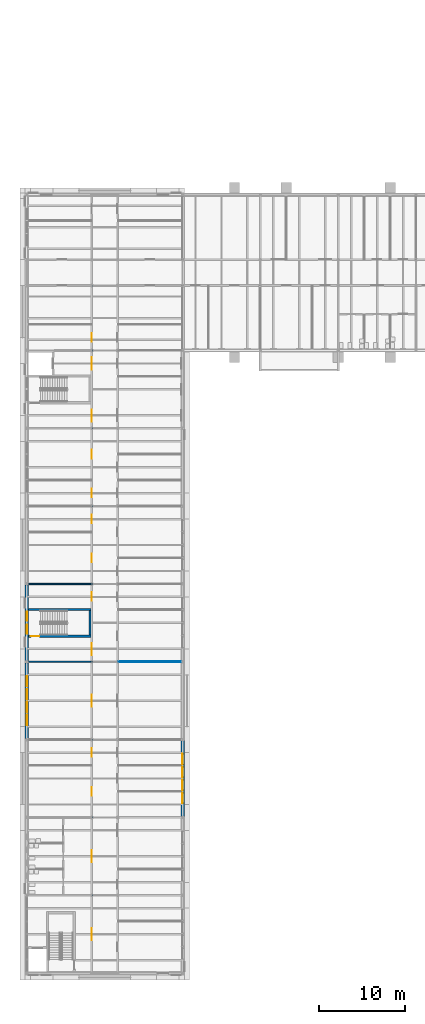
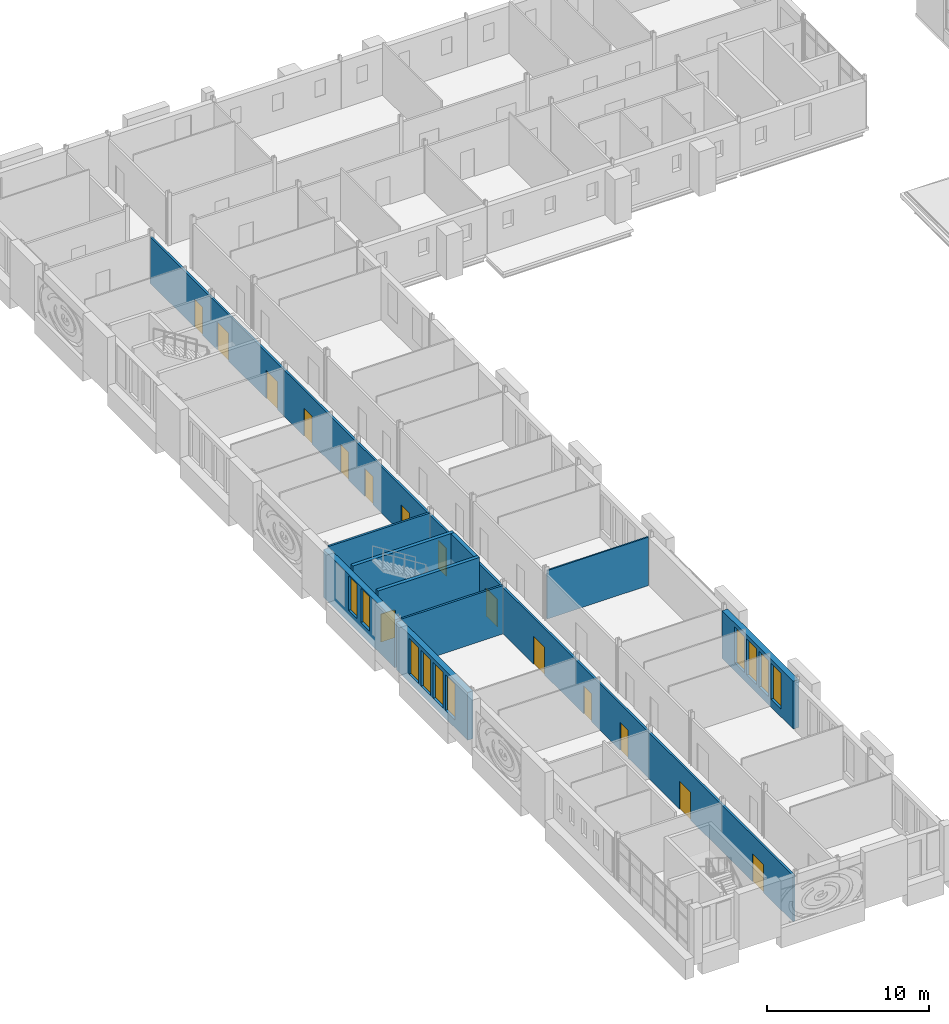
# One storey, part 88 of 121: 15 doors, 10 walls, 10 windows, 25 openings.
"""IFC4 building model written with IfcOpenShell, lengths in metres."""

from ifc_helpers import new_model, si_unit, direction, frame, frame_2d, origin, place, context, subcontext, project, spatial, rectangle, extrude, material, layer, layer_set, type_object, element, fill, save


model = new_model("IFC4")

# Units and contexts
model_context = context("Model", 3, precision=1e-05, world=origin(), true_north=direction((0.0, 1.0)))
body_context = subcontext(model_context, "Body", "Model", "MODEL_VIEW")
ifc_project = project(units=[si_unit("LENGTHUNIT", "METRE"), si_unit("AREAUNIT", "SQUARE_METRE"), si_unit("VOLUMEUNIT", "CUBIC_METRE"), si_unit("PLANEANGLEUNIT", "RADIAN"), si_unit("MASSUNIT", "GRAM", prefix="KILO")], contexts=[model_context])

# Site, building, storey
site_placement = place(None, origin())
site = spatial("IfcSite", under=ifc_project, at=site_placement, CompositionType="ELEMENT")
building_placement = place(site_placement, origin())
building = spatial("IfcBuilding", under=site, at=building_placement, Name="Golden Quay Civic Hall", CompositionType="ELEMENT")
storey_placement = place(building_placement, frame((0.0, 0.0, 18.60009765625)))
storey = spatial("IfcBuildingStorey", under=building, at=storey_placement, Name="L04", CompositionType="ELEMENT", Elevation=18.60009765625)

# Wall, opening, door
ifc_material_1 = material(Name="Concrete C40/50", Category="concrete")
ifc_layer_1 = layer(ifc_material_1, 0.25)
ifc_layer_set_1 = layer_set([ifc_layer_1], Name="Concrete core wall 250, Concrete C40/50")
wall_type_1 = type_object("IfcWallType", Name="Concrete core wall 250", PredefinedType="SHEAR", material=ifc_layer_set_1)
wall_1_placement = place(storey_placement, frame((0.199951171875, 29.949951171875, 0.0), z_axis=(0.0, 0.0, 1.0), x_axis=(1.0, 0.0, 0.0)))
wall_1 = element("IfcWall", 1, at=wall_1_placement, inside=storey, type_object=wall_type_1, Name="Core wall WO-M-W1", PredefinedType="SHEAR", context=body_context, shape_type="SweptSolid", body=[
    extrude(rectangle(XDim=7.22509765625, YDim=0.25, at=frame_2d((3.612548828125, 0.0))), origin(), (0.0, 0.0, 1.0), 4.0),
])
opening_1_placement = place(wall_1_placement, frame((0.25, 0.0, 0.0)))
opening_1 = element("IfcOpeningElement", 2, at=opening_1_placement, cuts=wall_1, Name="Opening L04-D032", PredefinedType="OPENING", context=body_context, shape_type="SweptSolid", body=[
    extrude(rectangle(XDim=1.0, YDim=2.10009765625, at=frame_2d((0.5, 1.050048828125))), frame((0.0, 0.135009765625, 0.0), z_axis=(0.0, -1.0, 0.0), x_axis=(1.0, 0.0, 0.0)), (0.0, 0.0, 1.0), 0.27001953125),
])
ifc_material_2 = material(Name="Steel", Category="steel")
door_type_1 = type_object("IfcDoorType", Name="Steel fire door FD60 1000 x 2100", OperationType="SINGLE_SWING_LEFT", PredefinedType="DOOR", material=ifc_material_2)
door_1_placement = place(opening_1_placement, origin())
door_1 = element("IfcDoor", 3, at=door_1_placement, inside=storey, type_object=door_type_1, Name="Door L04-D032", OperationType="SINGLE_SWING_LEFT", OverallHeight=2.10009765625, OverallWidth=1.0, PredefinedType="DOOR", context=body_context, shape_type="SweptSolid", body=[
    extrude(rectangle(XDim=1.0, YDim=2.10009765625, at=frame_2d((0.5, 1.050048828125))), frame((0.0, 0.02490234375, 0.0), z_axis=(0.0, -1.0, 0.0), x_axis=(1.0, 0.0, 0.0)), (0.0, 0.0, 1.0), 0.050048828125),
])
fill(opening_1, door_1)

# Walls
wall_2_placement = place(storey_placement, frame((0.199951171875, 33.050048828125, 0.0), z_axis=(0.0, 0.0, 1.0), x_axis=(1.0, 0.0, 0.0)))
element("IfcWall", 4, at=wall_2_placement, inside=storey, type_object=wall_type_1, Name="Core wall WO-M-W2", PredefinedType="SHEAR", context=body_context, shape_type="SweptSolid", body=[
    extrude(rectangle(XDim=7.22509765625, YDim=0.25, at=frame_2d((3.612548828125, 0.0))), origin(), (0.0, 0.0, 1.0), 4.0),
])
wall_3_placement = place(storey_placement, frame((7.300048828125, 30.074951171875, 0.0), z_axis=(0.0, 0.0, 1.0), x_axis=(0.0, 1.0, 0.0)))
element("IfcWall", 5, at=wall_3_placement, inside=storey, type_object=wall_type_1, Name="Core wall WO-M-W3", PredefinedType="SHEAR", context=body_context, shape_type="SweptSolid", body=[
    extrude(rectangle(XDim=2.85009765625, YDim=0.25, at=frame_2d((1.425048828125, 0.0))), origin(), (0.0, 0.0, 1.0), 4.0),
])
ifc_material_3 = material(Name="Plasterboard on steel studs", Category="steel")
ifc_layer_2 = layer(ifc_material_3, 0.10009765625)
ifc_layer_set_2 = layer_set([ifc_layer_2], Name="Partition 100 stud")
wall_type_2 = type_object("IfcWallType", Name="Partition 100 stud", PredefinedType="PARTITIONING", material=ifc_layer_set_2)
wall_4_placement = place(storey_placement, frame((10.574951171875, 27.0, 0.0), z_axis=(0.0, 0.0, 1.0), x_axis=(1.0, 0.0, 0.0)))
element("IfcWall", 6, at=wall_4_placement, inside=storey, type_object=wall_type_2, Name="Partition L04-014", PredefinedType="PARTITIONING", context=body_context, shape_type="SweptSolid", body=[
    extrude(rectangle(XDim=7.22509765625, YDim=0.10009765625, at=frame_2d((3.612548828125, 0.0))), origin(), (0.0, 0.0, 1.0), 3.64990234375),
])
ifc_material_4 = material(Name="Plasterboard on steel studs", Category="steel")
ifc_layer_3 = layer(ifc_material_4, 0.14990234375)
ifc_layer_set_3 = layer_set([ifc_layer_3], Name="Partition 150 stud fire EI 60")
wall_type_3 = type_object("IfcWallType", Name="Partition 150 stud fire EI 60", PredefinedType="PARTITIONING", material=ifc_layer_set_3)
for number, where, z_axis, x_axis, name in (
    (7, (0.199951171875, 27.0, 0.0), (0.0, 0.0, 1.0), (1.0, 0.0, 0.0), "Partition L04-003"),
    (8, (0.199951171875, 36.0, 0.0), (0.0, 0.0, 1.0), (1.0, 0.0, 0.0), "Partition L04-004"),
):
    element("IfcWall", number, at=place(storey_placement, frame(where, z_axis=z_axis, x_axis=x_axis)), inside=storey, type_object=wall_type_3, Name=name, PredefinedType="PARTITIONING", context=body_context, shape_type="SweptSolid", body=[
        extrude(rectangle(XDim=7.22509765625, YDim=0.14990234375, at=frame_2d((3.612548828125, 0.0))), origin(), (0.0, 0.0, 1.0), 3.64990234375),
    ])

# Wall, openings, doors
wall_5_placement = place(storey_placement, frame((7.5, -8.800048828125, 0.0), z_axis=(0.0, 0.0, 1.0), x_axis=(0.0, 1.0, 0.0)))
wall_5 = element("IfcWall", 9, at=wall_5_placement, inside=storey, type_object=wall_type_3, Name="Partition L04-024", PredefinedType="PARTITIONING", context=body_context, shape_type="SweptSolid", body=[
    extrude(rectangle(XDim=79.300048828125, YDim=0.14990234375, at=frame_2d((39.64990234375, 0.0))), origin(), (0.0, 0.0, 1.0), 3.47998046875),
])
opening_2_placement = place(wall_5_placement, frame((20.300048828125, 0.0, 0.0)))
opening_2 = element("IfcOpeningElement", 10, at=opening_2_placement, cuts=wall_5, Name="Opening L04-D001", PredefinedType="OPENING", context=body_context, shape_type="SweptSolid", body=[
    extrude(rectangle(XDim=1.0, YDim=2.10009765625, at=frame_2d((0.5, 1.050048828125))), frame((0.0, 0.0849609375, 0.0), z_axis=(0.0, -1.0, 0.0), x_axis=(1.0, 0.0, 0.0)), (0.0, 0.0, 1.0), 0.169921875),
])
opening_3_placement = place(wall_5_placement, frame((24.800048828125, 0.0, 0.0)))
opening_3 = element("IfcOpeningElement", 11, at=opening_3_placement, cuts=wall_5, Name="Opening L04-D002", PredefinedType="OPENING", context=body_context, shape_type="SweptSolid", body=[
    extrude(rectangle(XDim=1.0, YDim=2.10009765625, at=frame_2d((0.5, 1.050048828125))), frame((0.0, 0.0849609375, 0.0), z_axis=(0.0, -1.0, 0.0), x_axis=(1.0, 0.0, 0.0)), (0.0, 0.0, 1.0), 0.169921875),
])
opening_4_placement = place(wall_5_placement, frame((30.60009765625, 0.0, 0.0)))
opening_4 = element("IfcOpeningElement", 12, at=opening_4_placement, cuts=wall_5, Name="Opening L04-D003", PredefinedType="OPENING", context=body_context, shape_type="SweptSolid", body=[
    extrude(rectangle(XDim=1.39990234375, YDim=2.10009765625, at=frame_2d((0.699951171875, 1.050048828125))), frame((0.0, 0.0849609375, 0.0), z_axis=(0.0, -1.0, 0.0), x_axis=(1.0, 0.0, 0.0)), (0.0, 0.0, 1.0), 0.169921875),
])
opening_5_placement = place(wall_5_placement, frame((47.300048828125, 0.0, 0.0)))
opening_5 = element("IfcOpeningElement", 13, at=opening_5_placement, cuts=wall_5, Name="Opening L04-D004", PredefinedType="OPENING", context=body_context, shape_type="SweptSolid", body=[
    extrude(rectangle(XDim=1.0, YDim=2.10009765625, at=frame_2d((0.5, 1.050048828125))), frame((0.0, 0.0849609375, 0.0), z_axis=(0.0, -1.0, 0.0), x_axis=(1.0, 0.0, 0.0)), (0.0, 0.0, 1.0), 0.169921875),
])
opening_6_placement = place(wall_5_placement, frame((51.800048828125, 0.0, 0.0)))
opening_6 = element("IfcOpeningElement", 14, at=opening_6_placement, cuts=wall_5, Name="Opening L04-D005", PredefinedType="OPENING", context=body_context, shape_type="SweptSolid", body=[
    extrude(rectangle(XDim=1.0, YDim=2.10009765625, at=frame_2d((0.5, 1.050048828125))), frame((0.0, 0.0849609375, 0.0), z_axis=(0.0, -1.0, 0.0), x_axis=(1.0, 0.0, 0.0)), (0.0, 0.0, 1.0), 0.169921875),
])
opening_7_placement = place(wall_5_placement, frame((54.800048828125, 0.0, 0.0)))
opening_7 = element("IfcOpeningElement", 15, at=opening_7_placement, cuts=wall_5, Name="Opening L04-D006", PredefinedType="OPENING", context=body_context, shape_type="SweptSolid", body=[
    extrude(rectangle(XDim=1.0, YDim=2.10009765625, at=frame_2d((0.5, 1.050048828125))), frame((0.0, 0.0849609375, 0.0), z_axis=(0.0, -1.0, 0.0), x_axis=(1.0, 0.0, 0.0)), (0.0, 0.0, 1.0), 0.169921875),
])
opening_8_placement = place(wall_5_placement, frame((59.300048828125, 0.0, 0.0)))
opening_8 = element("IfcOpeningElement", 16, at=opening_8_placement, cuts=wall_5, Name="Opening L04-D007", PredefinedType="OPENING", context=body_context, shape_type="SweptSolid", body=[
    extrude(rectangle(XDim=1.0, YDim=2.10009765625, at=frame_2d((0.5, 1.050048828125))), frame((0.0, 0.0849609375, 0.0), z_axis=(0.0, -1.0, 0.0), x_axis=(1.0, 0.0, 0.0)), (0.0, 0.0, 1.0), 0.169921875),
])
opening_9_placement = place(wall_5_placement, frame((12.60009765625, 0.0, 0.0)))
opening_9 = element("IfcOpeningElement", 17, at=opening_9_placement, cuts=wall_5, Name="Opening L04-D022", PredefinedType="OPENING", context=body_context, shape_type="SweptSolid", body=[
    extrude(rectangle(XDim=1.39990234375, YDim=2.10009765625, at=frame_2d((0.699951171875, 1.050048828125))), frame((0.0, 0.0849609375, 0.0), z_axis=(0.0, -1.0, 0.0), x_axis=(1.0, 0.0, 0.0)), (0.0, 0.0, 1.0), 0.169921875),
])
opening_10_placement = place(wall_5_placement, frame((3.60009765625, 0.0, 0.0)))
opening_10 = element("IfcOpeningElement", 18, at=opening_10_placement, cuts=wall_5, Name="Opening L04-D027", PredefinedType="OPENING", context=body_context, shape_type="SweptSolid", body=[
    extrude(rectangle(XDim=1.39990234375, YDim=2.10009765625, at=frame_2d((0.699951171875, 1.050048828125))), frame((0.0, 0.0849609375, 0.0), z_axis=(0.0, -1.0, 0.0), x_axis=(1.0, 0.0, 0.0)), (0.0, 0.0, 1.0), 0.169921875),
])
opening_11_placement = place(wall_5_placement, frame((63.550048828125, 0.0, 0.0)))
opening_11 = element("IfcOpeningElement", 19, at=opening_11_placement, cuts=wall_5, Name="Opening L04-D029", PredefinedType="OPENING", context=body_context, shape_type="SweptSolid", body=[
    extrude(rectangle(XDim=1.39990234375, YDim=2.10009765625, at=frame_2d((0.699951171875, 1.050048828125))), frame((0.0, 0.0849609375, 0.0), z_axis=(0.0, -1.0, 0.0), x_axis=(1.0, 0.0, 0.0)), (0.0, 0.0, 1.0), 0.169921875),
])
opening_12_placement = place(wall_5_placement, frame((69.60009765625, 0.0, 0.0)))
opening_12 = element("IfcOpeningElement", 20, at=opening_12_placement, cuts=wall_5, Name="Opening L04-D030", PredefinedType="OPENING", context=body_context, shape_type="SweptSolid", body=[
    extrude(rectangle(XDim=1.39990234375, YDim=2.10009765625, at=frame_2d((0.699951171875, 1.050048828125))), frame((0.0, 0.0849609375, 0.0), z_axis=(0.0, -1.0, 0.0), x_axis=(1.0, 0.0, 0.0)), (0.0, 0.0, 1.0), 0.169921875),
])
opening_13_placement = place(wall_5_placement, frame((42.85009765625, 0.0, 0.0)))
opening_13 = element("IfcOpeningElement", 21, at=opening_13_placement, cuts=wall_5, Name="Opening L04-D031", PredefinedType="OPENING", context=body_context, shape_type="SweptSolid", body=[
    extrude(rectangle(XDim=1.0, YDim=2.10009765625, at=frame_2d((0.5, 1.050048828125))), frame((0.0, 0.0849609375, 0.0), z_axis=(0.0, -1.0, 0.0), x_axis=(1.0, 0.0, 0.0)), (0.0, 0.0, 1.0), 0.169921875),
])
opening_14_placement = place(wall_5_placement, frame((36.550048828125, 0.0, 0.0)))
opening_14 = element("IfcOpeningElement", 22, at=opening_14_placement, cuts=wall_5, Name="Opening L04-D033", PredefinedType="OPENING", context=body_context, shape_type="SweptSolid", body=[
    extrude(rectangle(XDim=1.39990234375, YDim=2.10009765625, at=frame_2d((0.699951171875, 1.050048828125))), frame((0.0, 0.0849609375, 0.0), z_axis=(0.0, -1.0, 0.0), x_axis=(1.0, 0.0, 0.0)), (0.0, 0.0, 1.0), 0.169921875),
])
opening_15_placement = place(wall_5_placement, frame((72.800048828125, 0.0, 0.0)))
opening_15 = element("IfcOpeningElement", 23, at=opening_15_placement, cuts=wall_5, Name="Opening L04-D034", PredefinedType="OPENING", context=body_context, shape_type="SweptSolid", body=[
    extrude(rectangle(XDim=1.0, YDim=2.10009765625, at=frame_2d((0.5, 1.050048828125))), frame((0.0, 0.0849609375, 0.0), z_axis=(0.0, -1.0, 0.0), x_axis=(1.0, 0.0, 0.0)), (0.0, 0.0, 1.0), 0.169921875),
])
ifc_material_5 = material(Name="Steel", Category="steel")
door_type_2 = type_object("IfcDoorType", Name="Steel double fire door FD30S 1400 x 2100", OperationType="DOUBLE_DOOR_SINGLE_SWING", PredefinedType="DOOR", material=ifc_material_5)
door_2_placement = place(opening_4_placement, origin())
door_2 = element("IfcDoor", 24, at=door_2_placement, inside=storey, type_object=door_type_2, Name="Door L04-D003", OperationType="DOUBLE_DOOR_SINGLE_SWING", OverallHeight=2.10009765625, OverallWidth=1.39990234375, PredefinedType="DOOR", context=body_context, shape_type="SweptSolid", body=[
    extrude(rectangle(XDim=1.39990234375, YDim=2.10009765625, at=frame_2d((0.699951171875, 1.050048828125))), frame((0.0, 0.02490234375, 0.0), z_axis=(0.0, -1.0, 0.0), x_axis=(1.0, 0.0, 0.0)), (0.0, 0.0, 1.0), 0.050048828125),
])
fill(opening_4, door_2)
door_3_placement = place(opening_9_placement, origin())
door_3 = element("IfcDoor", 25, at=door_3_placement, inside=storey, type_object=door_type_2, Name="Door L04-D022", OperationType="DOUBLE_DOOR_SINGLE_SWING", OverallHeight=2.10009765625, OverallWidth=1.39990234375, PredefinedType="DOOR", context=body_context, shape_type="SweptSolid", body=[
    extrude(rectangle(XDim=1.39990234375, YDim=2.10009765625, at=frame_2d((0.699951171875, 1.050048828125))), frame((0.0, 0.02490234375, 0.0), z_axis=(0.0, -1.0, 0.0), x_axis=(1.0, 0.0, 0.0)), (0.0, 0.0, 1.0), 0.050048828125),
])
fill(opening_9, door_3)
door_4_placement = place(opening_10_placement, frame((1.39990234375, 0.0, 0.0), z_axis=(0.0, 0.0, 1.0), x_axis=(-1.0, 0.0, 0.0)))
door_4 = element("IfcDoor", 26, at=door_4_placement, inside=storey, type_object=door_type_2, Name="Door L04-D027", OperationType="DOUBLE_DOOR_SINGLE_SWING", OverallHeight=2.10009765625, OverallWidth=1.39990234375, PredefinedType="DOOR", context=body_context, shape_type="SweptSolid", body=[
    extrude(rectangle(XDim=1.39990234375, YDim=2.10009765625, at=frame_2d((0.699951171875, 1.050048828125))), frame((0.0, 0.025146484375, 0.0), z_axis=(0.0, -1.0, 0.0), x_axis=(1.0, 0.0, 0.0)), (0.0, 0.0, 1.0), 0.050048828125),
])
fill(opening_10, door_4)
door_5_placement = place(opening_11_placement, frame((1.39990234375, 0.0, 0.0), z_axis=(0.0, 0.0, 1.0), x_axis=(-1.0, 0.0, 0.0)))
door_5 = element("IfcDoor", 27, at=door_5_placement, inside=storey, type_object=door_type_2, Name="Door L04-D029", OperationType="DOUBLE_DOOR_SINGLE_SWING", OverallHeight=2.10009765625, OverallWidth=1.39990234375, PredefinedType="DOOR", context=body_context, shape_type="SweptSolid", body=[
    extrude(rectangle(XDim=1.39990234375, YDim=2.10009765625, at=frame_2d((0.699951171875, 1.050048828125))), frame((0.0, 0.025146484375, 0.0), z_axis=(0.0, -1.0, 0.0), x_axis=(1.0, 0.0, 0.0)), (0.0, 0.0, 1.0), 0.050048828125),
])
fill(opening_11, door_5)
door_6_placement = place(opening_12_placement, frame((1.39990234375, 0.0, 0.0), z_axis=(0.0, 0.0, 1.0), x_axis=(-1.0, 0.0, 0.0)))
door_6 = element("IfcDoor", 28, at=door_6_placement, inside=storey, type_object=door_type_2, Name="Door L04-D030", OperationType="DOUBLE_DOOR_SINGLE_SWING", OverallHeight=2.10009765625, OverallWidth=1.39990234375, PredefinedType="DOOR", context=body_context, shape_type="SweptSolid", body=[
    extrude(rectangle(XDim=1.39990234375, YDim=2.10009765625, at=frame_2d((0.699951171875, 1.050048828125))), frame((0.0, 0.025146484375, 0.0), z_axis=(0.0, -1.0, 0.0), x_axis=(1.0, 0.0, 0.0)), (0.0, 0.0, 1.0), 0.050048828125),
])
fill(opening_12, door_6)
door_7_placement = place(opening_14_placement, frame((1.39990234375, 0.0, 0.0), z_axis=(0.0, 0.0, 1.0), x_axis=(-1.0, 0.0, 0.0)))
door_7 = element("IfcDoor", 29, at=door_7_placement, inside=storey, type_object=door_type_2, Name="Door L04-D033", OperationType="DOUBLE_DOOR_SINGLE_SWING", OverallHeight=2.10009765625, OverallWidth=1.39990234375, PredefinedType="DOOR", context=body_context, shape_type="SweptSolid", body=[
    extrude(rectangle(XDim=1.39990234375, YDim=2.10009765625, at=frame_2d((0.699951171875, 1.050048828125))), frame((0.0, 0.025146484375, 0.0), z_axis=(0.0, -1.0, 0.0), x_axis=(1.0, 0.0, 0.0)), (0.0, 0.0, 1.0), 0.050048828125),
])
fill(opening_14, door_7)
ifc_material_6 = material(Name="Steel", Category="steel")
door_type_3 = type_object("IfcDoorType", Name="Steel fire door FD30S 1000 x 2100", OperationType="SINGLE_SWING_LEFT", PredefinedType="DOOR", material=ifc_material_6)
door_8_placement = place(opening_2_placement, origin())
door_8 = element("IfcDoor", 30, at=door_8_placement, inside=storey, type_object=door_type_3, Name="Door L04-D001", OperationType="SINGLE_SWING_LEFT", OverallHeight=2.10009765625, OverallWidth=1.0, PredefinedType="DOOR", context=body_context, shape_type="SweptSolid", body=[
    extrude(rectangle(XDim=1.0, YDim=2.10009765625, at=frame_2d((0.5, 1.050048828125))), frame((0.0, 0.02490234375, 0.0), z_axis=(0.0, -1.0, 0.0), x_axis=(1.0, 0.0, 0.0)), (0.0, 0.0, 1.0), 0.050048828125),
])
fill(opening_2, door_8)
door_9_placement = place(opening_3_placement, origin())
door_9 = element("IfcDoor", 31, at=door_9_placement, inside=storey, type_object=door_type_3, Name="Door L04-D002", OperationType="SINGLE_SWING_LEFT", OverallHeight=2.10009765625, OverallWidth=1.0, PredefinedType="DOOR", context=body_context, shape_type="SweptSolid", body=[
    extrude(rectangle(XDim=1.0, YDim=2.10009765625, at=frame_2d((0.5, 1.050048828125))), frame((0.0, 0.02490234375, 0.0), z_axis=(0.0, -1.0, 0.0), x_axis=(1.0, 0.0, 0.0)), (0.0, 0.0, 1.0), 0.050048828125),
])
fill(opening_3, door_9)
door_10_placement = place(opening_5_placement, origin())
door_10 = element("IfcDoor", 32, at=door_10_placement, inside=storey, type_object=door_type_3, Name="Door L04-D004", OperationType="SINGLE_SWING_LEFT", OverallHeight=2.10009765625, OverallWidth=1.0, PredefinedType="DOOR", context=body_context, shape_type="SweptSolid", body=[
    extrude(rectangle(XDim=1.0, YDim=2.10009765625, at=frame_2d((0.5, 1.050048828125))), frame((0.0, 0.02490234375, 0.0), z_axis=(0.0, -1.0, 0.0), x_axis=(1.0, 0.0, 0.0)), (0.0, 0.0, 1.0), 0.050048828125),
])
fill(opening_5, door_10)
door_11_placement = place(opening_6_placement, origin())
door_11 = element("IfcDoor", 33, at=door_11_placement, inside=storey, type_object=door_type_3, Name="Door L04-D005", OperationType="SINGLE_SWING_LEFT", OverallHeight=2.10009765625, OverallWidth=1.0, PredefinedType="DOOR", context=body_context, shape_type="SweptSolid", body=[
    extrude(rectangle(XDim=1.0, YDim=2.10009765625, at=frame_2d((0.5, 1.050048828125))), frame((0.0, 0.02490234375, 0.0), z_axis=(0.0, -1.0, 0.0), x_axis=(1.0, 0.0, 0.0)), (0.0, 0.0, 1.0), 0.050048828125),
])
fill(opening_6, door_11)
door_12_placement = place(opening_7_placement, origin())
door_12 = element("IfcDoor", 34, at=door_12_placement, inside=storey, type_object=door_type_3, Name="Door L04-D006", OperationType="SINGLE_SWING_LEFT", OverallHeight=2.10009765625, OverallWidth=1.0, PredefinedType="DOOR", context=body_context, shape_type="SweptSolid", body=[
    extrude(rectangle(XDim=1.0, YDim=2.10009765625, at=frame_2d((0.5, 1.050048828125))), frame((0.0, 0.02490234375, 0.0), z_axis=(0.0, -1.0, 0.0), x_axis=(1.0, 0.0, 0.0)), (0.0, 0.0, 1.0), 0.050048828125),
])
fill(opening_7, door_12)
door_13_placement = place(opening_8_placement, origin())
door_13 = element("IfcDoor", 35, at=door_13_placement, inside=storey, type_object=door_type_3, Name="Door L04-D007", OperationType="SINGLE_SWING_LEFT", OverallHeight=2.10009765625, OverallWidth=1.0, PredefinedType="DOOR", context=body_context, shape_type="SweptSolid", body=[
    extrude(rectangle(XDim=1.0, YDim=2.10009765625, at=frame_2d((0.5, 1.050048828125))), frame((0.0, 0.02490234375, 0.0), z_axis=(0.0, -1.0, 0.0), x_axis=(1.0, 0.0, 0.0)), (0.0, 0.0, 1.0), 0.050048828125),
])
fill(opening_8, door_13)
door_14_placement = place(opening_13_placement, origin())
door_14 = element("IfcDoor", 36, at=door_14_placement, inside=storey, type_object=door_type_3, Name="Door L04-D031", OperationType="SINGLE_SWING_LEFT", OverallHeight=2.10009765625, OverallWidth=1.0, PredefinedType="DOOR", context=body_context, shape_type="SweptSolid", body=[
    extrude(rectangle(XDim=1.0, YDim=2.10009765625, at=frame_2d((0.5, 1.050048828125))), frame((0.0, 0.02490234375, 0.0), z_axis=(0.0, -1.0, 0.0), x_axis=(1.0, 0.0, 0.0)), (0.0, 0.0, 1.0), 0.050048828125),
])
fill(opening_13, door_14)
door_15_placement = place(opening_15_placement, origin())
door_15 = element("IfcDoor", 37, at=door_15_placement, inside=storey, type_object=door_type_3, Name="Door L04-D034", OperationType="SINGLE_SWING_LEFT", OverallHeight=2.10009765625, OverallWidth=1.0, PredefinedType="DOOR", context=body_context, shape_type="SweptSolid", body=[
    extrude(rectangle(XDim=1.0, YDim=2.10009765625, at=frame_2d((0.5, 1.050048828125))), frame((0.0, 0.02490234375, 0.0), z_axis=(0.0, -1.0, 0.0), x_axis=(1.0, 0.0, 0.0)), (0.0, 0.0, 1.0), 0.050048828125),
])
fill(opening_15, door_15)

# Wall, openings, windows
ifc_material_7 = material(Name="Clay block, rendered, cream")
ifc_layer_4 = layer(ifc_material_7, 0.39990234375)
ifc_layer_set_4 = layer_set([ifc_layer_4], Name="Rendered block external wall 400")
wall_type_4 = type_object("IfcWallType", Name="Rendered block external wall 400", PredefinedType="STANDARD", material=ifc_layer_set_4)
wall_6_placement = place(storey_placement, frame((0.0, 18.114990234375, 0.0), z_axis=(0.0, 0.0, 1.0), x_axis=(0.0, 1.0, 0.0)))
wall_6 = element("IfcWall", 38, at=wall_6_placement, inside=storey, type_object=wall_type_4, Name="Rendered block external wall 400 L04 3", PredefinedType="STANDARD", context=body_context, shape_type="SweptSolid", body=[
    extrude(rectangle(XDim=8.77001953125, YDim=0.39990234375, at=frame_2d((4.385009765625, 0.0))), origin(), (0.0, 0.0, 1.0), 3.599853515625),
])
opening_16_placement = place(wall_6_placement, frame((1.534912109375, 0.0, 0.60009765625)))
opening_16 = element("IfcOpeningElement", 39, at=opening_16_placement, cuts=wall_6, Name="Opening WN8", PredefinedType="OPENING", context=body_context, shape_type="SweptSolid", body=[
    extrude(rectangle(XDim=1.199951171875, YDim=2.699951171875, at=frame_2d((0.60009765625, 1.35009765625))), frame((0.0, 0.2099609375, 0.0), z_axis=(0.0, -1.0, 0.0), x_axis=(1.0, 0.0, 0.0)), (0.0, 0.0, 1.0), 0.419921875),
])
opening_17_placement = place(wall_6_placement, frame((3.034912109375, 0.0, 0.60009765625)))
opening_17 = element("IfcOpeningElement", 40, at=opening_17_placement, cuts=wall_6, Name="Opening WN8", PredefinedType="OPENING", context=body_context, shape_type="SweptSolid", body=[
    extrude(rectangle(XDim=1.199951171875, YDim=2.699951171875, at=frame_2d((0.60009765625, 1.35009765625))), frame((0.0, 0.2099609375, 0.0), z_axis=(0.0, -1.0, 0.0), x_axis=(1.0, 0.0, 0.0)), (0.0, 0.0, 1.0), 0.419921875),
])
opening_18_placement = place(wall_6_placement, frame((4.534912109375, 0.0, 0.60009765625)))
opening_18 = element("IfcOpeningElement", 41, at=opening_18_placement, cuts=wall_6, Name="Opening WN8", PredefinedType="OPENING", context=body_context, shape_type="SweptSolid", body=[
    extrude(rectangle(XDim=1.199951171875, YDim=2.699951171875, at=frame_2d((0.60009765625, 1.35009765625))), frame((0.0, 0.2099609375, 0.0), z_axis=(0.0, -1.0, 0.0), x_axis=(1.0, 0.0, 0.0)), (0.0, 0.0, 1.0), 0.419921875),
])
opening_19_placement = place(wall_6_placement, frame((6.034912109375, 0.0, 0.60009765625)))
opening_19 = element("IfcOpeningElement", 42, at=opening_19_placement, cuts=wall_6, Name="Opening WN8", PredefinedType="OPENING", context=body_context, shape_type="SweptSolid", body=[
    extrude(rectangle(XDim=1.199951171875, YDim=2.699951171875, at=frame_2d((0.60009765625, 1.35009765625))), frame((0.0, 0.2099609375, 0.0), z_axis=(0.0, -1.0, 0.0), x_axis=(1.0, 0.0, 0.0)), (0.0, 0.0, 1.0), 0.419921875),
])
ifc_material_8 = material(Name="Aluminium frame, double glazed", Category="aluminium")
window_type_1 = type_object("IfcWindowType", Name="Golden grid window 1200 x 2700", PartitioningType="SINGLE_PANEL", PredefinedType="WINDOW", material=ifc_material_8)
window_1_placement = place(opening_16_placement, origin())
window_1 = element("IfcWindow", 43, at=window_1_placement, inside=storey, type_object=window_type_1, Name="Golden grid window 1200 x 2700 L04 1", OverallHeight=2.699951171875, OverallWidth=1.199951171875, PartitioningType="SINGLE_PANEL", PredefinedType="WINDOW", context=body_context, shape_type="SweptSolid", body=[
    extrude(rectangle(XDim=1.199951171875, YDim=2.699951171875, at=frame_2d((0.60009765625, 1.35009765625))), frame((0.0, 0.030029296875, 0.0), z_axis=(0.0, -1.0, 0.0), x_axis=(1.0, 0.0, 0.0)), (0.0, 0.0, 1.0), 0.06005859375),
])
fill(opening_16, window_1)
window_2_placement = place(opening_17_placement, origin())
window_2 = element("IfcWindow", 44, at=window_2_placement, inside=storey, type_object=window_type_1, Name="Golden grid window 1200 x 2700 L04 2", OverallHeight=2.699951171875, OverallWidth=1.199951171875, PartitioningType="SINGLE_PANEL", PredefinedType="WINDOW", context=body_context, shape_type="SweptSolid", body=[
    extrude(rectangle(XDim=1.199951171875, YDim=2.699951171875, at=frame_2d((0.60009765625, 1.35009765625))), frame((0.0, 0.030029296875, 0.0), z_axis=(0.0, -1.0, 0.0), x_axis=(1.0, 0.0, 0.0)), (0.0, 0.0, 1.0), 0.06005859375),
])
fill(opening_17, window_2)
window_3_placement = place(opening_18_placement, origin())
window_3 = element("IfcWindow", 45, at=window_3_placement, inside=storey, type_object=window_type_1, Name="Golden grid window 1200 x 2700 L04 3", OverallHeight=2.699951171875, OverallWidth=1.199951171875, PartitioningType="SINGLE_PANEL", PredefinedType="WINDOW", context=body_context, shape_type="SweptSolid", body=[
    extrude(rectangle(XDim=1.199951171875, YDim=2.699951171875, at=frame_2d((0.60009765625, 1.35009765625))), frame((0.0, 0.030029296875, 0.0), z_axis=(0.0, -1.0, 0.0), x_axis=(1.0, 0.0, 0.0)), (0.0, 0.0, 1.0), 0.06005859375),
])
fill(opening_18, window_3)
window_4_placement = place(opening_19_placement, origin())
window_4 = element("IfcWindow", 46, at=window_4_placement, inside=storey, type_object=window_type_1, Name="Golden grid window 1200 x 2700 L04 4", OverallHeight=2.699951171875, OverallWidth=1.199951171875, PartitioningType="SINGLE_PANEL", PredefinedType="WINDOW", context=body_context, shape_type="SweptSolid", body=[
    extrude(rectangle(XDim=1.199951171875, YDim=2.699951171875, at=frame_2d((0.60009765625, 1.35009765625))), frame((0.0, 0.030029296875, 0.0), z_axis=(0.0, -1.0, 0.0), x_axis=(1.0, 0.0, 0.0)), (0.0, 0.0, 1.0), 0.06005859375),
])
fill(opening_19, window_4)

wall_7_placement = place(storey_placement, frame((18.0, 17.885009765625, 0.0), z_axis=(0.0, 0.0, 1.0), x_axis=(0.0, -1.0, 0.0)))
wall_7 = element("IfcWall", 47, at=wall_7_placement, inside=storey, type_object=wall_type_4, Name="Rendered block external wall 400 L04 14", PredefinedType="STANDARD", context=body_context, shape_type="SweptSolid", body=[
    extrude(rectangle(XDim=8.77001953125, YDim=0.39990234375, at=frame_2d((4.385009765625, 0.0))), origin(), (0.0, 0.0, 1.0), 3.599853515625),
])
opening_20_placement = place(wall_7_placement, frame((6.034912109375, 0.0, 0.60009765625)))
opening_20 = element("IfcOpeningElement", 48, at=opening_20_placement, cuts=wall_7, Name="Opening WN8", PredefinedType="OPENING", context=body_context, shape_type="SweptSolid", body=[
    extrude(rectangle(XDim=1.199951171875, YDim=2.699951171875, at=frame_2d((0.60009765625, 1.35009765625))), frame((0.0, 0.2099609375, 0.0), z_axis=(0.0, -1.0, 0.0), x_axis=(1.0, 0.0, 0.0)), (0.0, 0.0, 1.0), 0.419921875),
])
opening_21_placement = place(wall_7_placement, frame((4.534912109375, 0.0, 0.60009765625)))
opening_21 = element("IfcOpeningElement", 49, at=opening_21_placement, cuts=wall_7, Name="Opening WN8", PredefinedType="OPENING", context=body_context, shape_type="SweptSolid", body=[
    extrude(rectangle(XDim=1.199951171875, YDim=2.699951171875, at=frame_2d((0.60009765625, 1.35009765625))), frame((0.0, 0.2099609375, 0.0), z_axis=(0.0, -1.0, 0.0), x_axis=(1.0, 0.0, 0.0)), (0.0, 0.0, 1.0), 0.419921875),
])
opening_22_placement = place(wall_7_placement, frame((3.034912109375, 0.0, 0.60009765625)))
opening_22 = element("IfcOpeningElement", 50, at=opening_22_placement, cuts=wall_7, Name="Opening WN8", PredefinedType="OPENING", context=body_context, shape_type="SweptSolid", body=[
    extrude(rectangle(XDim=1.199951171875, YDim=2.699951171875, at=frame_2d((0.60009765625, 1.35009765625))), frame((0.0, 0.2099609375, 0.0), z_axis=(0.0, -1.0, 0.0), x_axis=(1.0, 0.0, 0.0)), (0.0, 0.0, 1.0), 0.419921875),
])
opening_23_placement = place(wall_7_placement, frame((1.534912109375, 0.0, 0.60009765625)))
opening_23 = element("IfcOpeningElement", 51, at=opening_23_placement, cuts=wall_7, Name="Opening WN8", PredefinedType="OPENING", context=body_context, shape_type="SweptSolid", body=[
    extrude(rectangle(XDim=1.199951171875, YDim=2.699951171875, at=frame_2d((0.60009765625, 1.35009765625))), frame((0.0, 0.2099609375, 0.0), z_axis=(0.0, -1.0, 0.0), x_axis=(1.0, 0.0, 0.0)), (0.0, 0.0, 1.0), 0.419921875),
])
window_5_placement = place(opening_20_placement, origin())
window_5 = element("IfcWindow", 52, at=window_5_placement, inside=storey, type_object=window_type_1, Name="Golden grid window 1200 x 2700 L04 22", OverallHeight=2.699951171875, OverallWidth=1.199951171875, PartitioningType="SINGLE_PANEL", PredefinedType="WINDOW", context=body_context, shape_type="SweptSolid", body=[
    extrude(rectangle(XDim=1.199951171875, YDim=2.699951171875, at=frame_2d((0.60009765625, 1.35009765625))), frame((0.0, 0.030029296875, 0.0), z_axis=(0.0, -1.0, 0.0), x_axis=(1.0, 0.0, 0.0)), (0.0, 0.0, 1.0), 0.06005859375),
])
fill(opening_20, window_5)
window_6_placement = place(opening_21_placement, origin())
window_6 = element("IfcWindow", 53, at=window_6_placement, inside=storey, type_object=window_type_1, Name="Golden grid window 1200 x 2700 L04 23", OverallHeight=2.699951171875, OverallWidth=1.199951171875, PartitioningType="SINGLE_PANEL", PredefinedType="WINDOW", context=body_context, shape_type="SweptSolid", body=[
    extrude(rectangle(XDim=1.199951171875, YDim=2.699951171875, at=frame_2d((0.60009765625, 1.35009765625))), frame((0.0, 0.030029296875, 0.0), z_axis=(0.0, -1.0, 0.0), x_axis=(1.0, 0.0, 0.0)), (0.0, 0.0, 1.0), 0.06005859375),
])
fill(opening_21, window_6)
window_7_placement = place(opening_22_placement, origin())
window_7 = element("IfcWindow", 54, at=window_7_placement, inside=storey, type_object=window_type_1, Name="Golden grid window 1200 x 2700 L04 24", OverallHeight=2.699951171875, OverallWidth=1.199951171875, PartitioningType="SINGLE_PANEL", PredefinedType="WINDOW", context=body_context, shape_type="SweptSolid", body=[
    extrude(rectangle(XDim=1.199951171875, YDim=2.699951171875, at=frame_2d((0.60009765625, 1.35009765625))), frame((0.0, 0.030029296875, 0.0), z_axis=(0.0, -1.0, 0.0), x_axis=(1.0, 0.0, 0.0)), (0.0, 0.0, 1.0), 0.06005859375),
])
fill(opening_22, window_7)
window_8_placement = place(opening_23_placement, origin())
window_8 = element("IfcWindow", 55, at=window_8_placement, inside=storey, type_object=window_type_1, Name="Golden grid window 1200 x 2700 L04 25", OverallHeight=2.699951171875, OverallWidth=1.199951171875, PartitioningType="SINGLE_PANEL", PredefinedType="WINDOW", context=body_context, shape_type="SweptSolid", body=[
    extrude(rectangle(XDim=1.199951171875, YDim=2.699951171875, at=frame_2d((0.60009765625, 1.35009765625))), frame((0.0, 0.030029296875, 0.0), z_axis=(0.0, -1.0, 0.0), x_axis=(1.0, 0.0, 0.0)), (0.0, 0.0, 1.0), 0.06005859375),
])
fill(opening_23, window_8)

ifc_material_9 = material(Name="Clay block, rendered, cream")
ifc_layer_5 = layer(ifc_material_9, 0.39990234375)
ifc_layer_set_5 = layer_set([ifc_layer_5], Name="Rendered block external wall 400 fire EI 60")
wall_type_5 = type_object("IfcWallType", Name="Rendered block external wall 400 fire EI 60", PredefinedType="STANDARD", material=ifc_layer_set_5)
wall_8_placement = place(storey_placement, frame((0.0, 27.114990234375, 0.0), z_axis=(0.0, 0.0, 1.0), x_axis=(0.0, 1.0, 0.0)))
wall_8 = element("IfcWall", 56, at=wall_8_placement, inside=storey, type_object=wall_type_5, Name="Rendered block external wall 400 fire EI 60 L04 1", PredefinedType="STANDARD", context=body_context, shape_type="SweptSolid", body=[
    extrude(rectangle(XDim=8.77001953125, YDim=0.39990234375, at=frame_2d((4.385009765625, 0.0))), origin(), (0.0, 0.0, 1.0), 3.599853515625),
])
opening_24_placement = place(wall_8_placement, frame((3.110107421875, 0.0, 0.89990234375)))
opening_24 = element("IfcOpeningElement", 57, at=opening_24_placement, cuts=wall_8, Name="Opening WN9", PredefinedType="OPENING", context=body_context, shape_type="SweptSolid", body=[
    extrude(rectangle(XDim=1.050048828125, YDim=2.60009765625, at=frame_2d((0.52490234375, 1.300048828125))), frame((0.0, 0.2099609375, 0.0), z_axis=(0.0, -1.0, 0.0), x_axis=(1.0, 0.0, 0.0)), (0.0, 0.0, 1.0), 0.419921875),
])
opening_25_placement = place(wall_8_placement, frame((4.610107421875, 0.0, 0.89990234375)))
opening_25 = element("IfcOpeningElement", 58, at=opening_25_placement, cuts=wall_8, Name="Opening WN9", PredefinedType="OPENING", context=body_context, shape_type="SweptSolid", body=[
    extrude(rectangle(XDim=1.050048828125, YDim=2.60009765625, at=frame_2d((0.52490234375, 1.300048828125))), frame((0.0, 0.2099609375, 0.0), z_axis=(0.0, -1.0, 0.0), x_axis=(1.0, 0.0, 0.0)), (0.0, 0.0, 1.0), 0.419921875),
])
ifc_material_10 = material(Name="Aluminium frame, double glazed", Category="aluminium")
window_type_2 = type_object("IfcWindowType", Name="Stair light window 1050 x 2600", PartitioningType="SINGLE_PANEL", PredefinedType="WINDOW", material=ifc_material_10)
window_9_placement = place(opening_24_placement, origin())
window_9 = element("IfcWindow", 59, at=window_9_placement, inside=storey, type_object=window_type_2, Name="Stair light window 1050 x 2600 L04 1", OverallHeight=2.60009765625, OverallWidth=1.050048828125, PartitioningType="SINGLE_PANEL", PredefinedType="WINDOW", context=body_context, shape_type="SweptSolid", body=[
    extrude(rectangle(XDim=1.050048828125, YDim=2.60009765625, at=frame_2d((0.52490234375, 1.300048828125))), frame((0.0, 0.030029296875, 0.0), z_axis=(0.0, -1.0, 0.0), x_axis=(1.0, 0.0, 0.0)), (0.0, 0.0, 1.0), 0.06005859375),
])
fill(opening_24, window_9)
window_10_placement = place(opening_25_placement, origin())
window_10 = element("IfcWindow", 60, at=window_10_placement, inside=storey, type_object=window_type_2, Name="Stair light window 1050 x 2600 L04 2", OverallHeight=2.60009765625, OverallWidth=1.050048828125, PartitioningType="SINGLE_PANEL", PredefinedType="WINDOW", context=body_context, shape_type="SweptSolid", body=[
    extrude(rectangle(XDim=1.050048828125, YDim=2.60009765625, at=frame_2d((0.52490234375, 1.300048828125))), frame((0.0, 0.030029296875, 0.0), z_axis=(0.0, -1.0, 0.0), x_axis=(1.0, 0.0, 0.0)), (0.0, 0.0, 1.0), 0.06005859375),
])
fill(opening_25, window_10)

save(model, "model.ifc")
